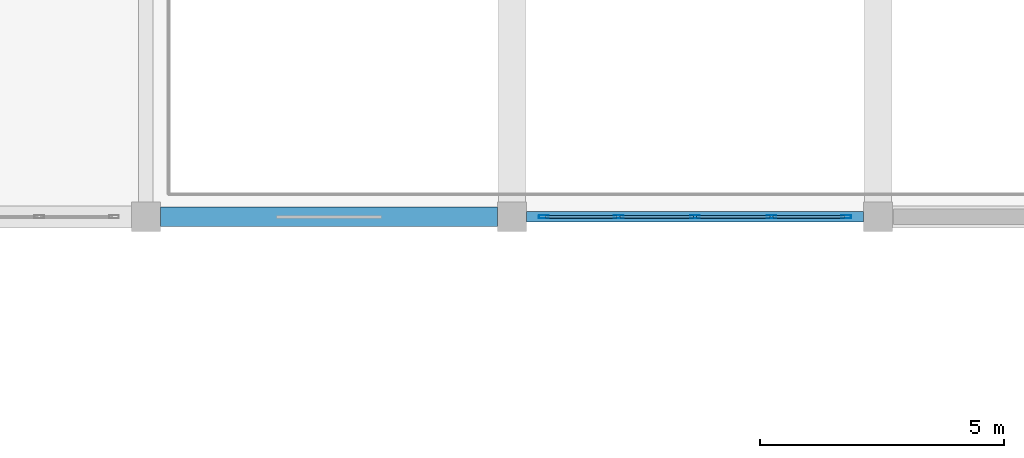
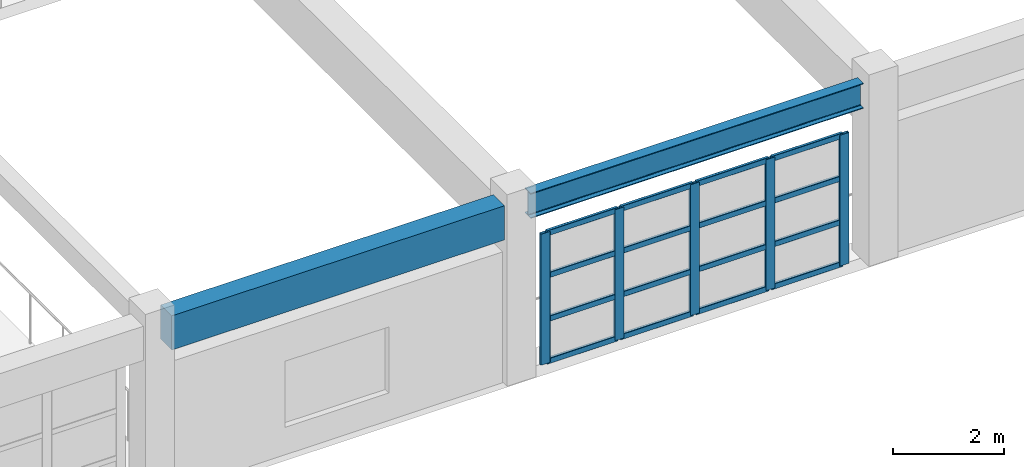
# One storey, part 68 of 124: 21 members, 2 beams, 1 element without a shape of its own.
"""IFC4 building model written with IfcOpenShell, lengths in metres."""

from ifc_helpers import new_model, si_unit, direction, frame, origin, origin_2d, place, context, subcontext, project, spatial, rectangle, hollow_rectangle, i_section, extrude, material, material_profile, profile_set, type_object, element, aggregate, save


model = new_model("IFC4")

# Units and contexts
model_context = context("Model", 3, precision=1e-05, world=origin(), true_north=direction((0.0, 1.0)))
body_context = subcontext(model_context, "Body", "Model", "MODEL_VIEW")
ifc_project = project(units=[si_unit("LENGTHUNIT", "METRE"), si_unit("AREAUNIT", "SQUARE_METRE"), si_unit("VOLUMEUNIT", "CUBIC_METRE"), si_unit("PLANEANGLEUNIT", "RADIAN"), si_unit("MASSUNIT", "GRAM", prefix="KILO")], contexts=[model_context])

# Site, building, storey
site_placement = place(None, origin())
site = spatial("IfcSite", under=ifc_project, at=site_placement, CompositionType="ELEMENT")
building_placement = place(site_placement, origin())
building = spatial("IfcBuilding", under=site, at=building_placement, Name="Qasida Concert Hall", CompositionType="ELEMENT")
storey_placement = place(building_placement, frame((0.0, 0.0, 9.0)))
storey = spatial("IfcBuildingStorey", under=building, at=storey_placement, Name="L02", CompositionType="ELEMENT", Elevation=9.0)

# Beams
ifc_material_1 = material(Name="Concrete C40/50", Category="concrete")
ifc_material_profile_1 = material_profile(ifc_material_1, rectangle(XDim=0.39990234375, YDim=0.75, at=origin_2d()), Name="RC 400x750")
ifc_profile_set_1 = profile_set([ifc_material_profile_1], Name="Concrete C40/50")
beam_type_1 = type_object("IfcBeamType", Name="BM-SP1", PredefinedType="SPANDREL", material=ifc_profile_set_1)
beam_1_placement = place(storey_placement, frame((127.800048828125, 75.0, 3.52490234375), z_axis=(1.0, 0.0, 0.0), x_axis=(0.0, 1.0, 0.0)))
element("IfcBeam", 1, at=beam_1_placement, inside=storey, type_object=beam_type_1, Name="Primary girder 1351", PredefinedType="SPANDREL", context=body_context, shape_type="SweptSolid", body=[
    extrude(rectangle(XDim=0.39990234375, YDim=0.75, at=origin_2d()), origin(), (0.0, 0.0, 1.0), 6.89990234375),
])
ifc_material_2 = material(Name="Steel S355J2", Category="steel")
ifc_material_profile_2 = material_profile(ifc_material_2, i_section(OverallWidth=0.2099609375, OverallDepth=0.550048828125, WebThickness=0.010986328125, FlangeThickness=0.01708984375, FilletRadius=0.02392578125, at=origin_2d()), Name="IPE 550")
ifc_profile_set_2 = profile_set([ifc_material_profile_2], Name="Steel S355J2")
beam_type_2 = type_object("IfcBeamType", Name="BM-SP2", PredefinedType="SPANDREL", material=ifc_profile_set_2)
beam_2_placement = place(storey_placement, frame((135.300048828125, 75.0, 3.625), z_axis=(1.0, 0.0, 0.0), x_axis=(0.0, 1.0, 0.0)))
element("IfcBeam", 2, at=beam_2_placement, inside=storey, type_object=beam_type_2, Name="Primary girder 1352", PredefinedType="SPANDREL", context=body_context, shape_type="SweptSolid", body=[
    extrude(i_section(OverallWidth=0.2099609375, OverallDepth=0.550048828125, WebThickness=0.010986328125, FlangeThickness=0.01708984375, FilletRadius=0.02392578125, at=origin_2d()), origin(), (0.0, 0.0, 1.0), 6.89990234375),
])

# Curtain wall, members
ifc_material_3 = material(Name="Architectural bronze-anodized aluminium and low-E glass", Category="aluminium")
curtain_wall_type = type_object("IfcCurtainWallType", Name="CW-03", PredefinedType="NOTDEFINED", material=ifc_material_3)
curtain_wall_placement = place(storey_placement, origin())
curtain_wall = element("IfcCurtainWall", 3, at=curtain_wall_placement, inside=storey, type_object=curtain_wall_type, Name="L02 curtain wall CW-03 0171", PredefinedType="NOTDEFINED")
ifc_material_4 = material(Name="Architectural bronze-anodized aluminium EN AW-6063", Category="aluminium")
ifc_material_profile_3 = material_profile(ifc_material_4, hollow_rectangle(XDim=0.06494140625, YDim=0.199951171875, WallThickness=0.0048828125, InnerFilletRadius=0.0048828125, OuterFilletRadius=0.010009765625, at=origin_2d()), Name="CWM 200x65x5")
ifc_profile_set_3 = profile_set([ifc_material_profile_3], Name="Architectural bronze-anodized aluminium EN AW-6063")
member_type_1 = type_object("IfcMemberType", Name="MB-CWM-2", PredefinedType="MULLION", material=ifc_profile_set_3)
member_1_placement = place(storey_placement, frame((135.652587890625, 75.0, 0.0), z_axis=(0.0, 0.0, 1.0), x_axis=(0.0, 1.0, 0.0)))
member_1 = element("IfcMember", 4, at=member_1_placement, type_object=member_type_1, Name="CW-03 mullion 1", PredefinedType="MULLION", context=body_context, shape_type="SweptSolid", body=[
    extrude(hollow_rectangle(XDim=0.06494140625, YDim=0.199951171875, WallThickness=0.0048828125, InnerFilletRadius=0.0048828125, OuterFilletRadius=0.010009765625, at=origin_2d()), origin(), (0.0, 0.0, 1.0), 2.8701171875),
])
member_2_placement = place(storey_placement, frame((137.18505859375, 75.0, 0.0), z_axis=(0.0, 0.0, 1.0), x_axis=(0.0, 1.0, 0.0)))
member_2 = element("IfcMember", 5, at=member_2_placement, type_object=member_type_1, Name="CW-03 mullion 2", PredefinedType="MULLION", context=body_context, shape_type="SweptSolid", body=[
    extrude(hollow_rectangle(XDim=0.06494140625, YDim=0.199951171875, WallThickness=0.0048828125, InnerFilletRadius=0.0048828125, OuterFilletRadius=0.010009765625, at=origin_2d()), origin(), (0.0, 0.0, 1.0), 2.8701171875),
])
member_3_placement = place(storey_placement, frame((138.75, 75.0, 0.0), z_axis=(0.0, 0.0, 1.0), x_axis=(0.0, 1.0, 0.0)))
member_3 = element("IfcMember", 6, at=member_3_placement, type_object=member_type_1, Name="CW-03 mullion 3", PredefinedType="MULLION", context=body_context, shape_type="SweptSolid", body=[
    extrude(hollow_rectangle(XDim=0.06494140625, YDim=0.199951171875, WallThickness=0.0048828125, InnerFilletRadius=0.0048828125, OuterFilletRadius=0.010009765625, at=origin_2d()), origin(), (0.0, 0.0, 1.0), 2.8701171875),
])
member_4_placement = place(storey_placement, frame((140.31494140625, 75.0, 0.0), z_axis=(0.0, 0.0, 1.0), x_axis=(0.0, 1.0, 0.0)))
member_4 = element("IfcMember", 7, at=member_4_placement, type_object=member_type_1, Name="CW-03 mullion 4", PredefinedType="MULLION", context=body_context, shape_type="SweptSolid", body=[
    extrude(hollow_rectangle(XDim=0.06494140625, YDim=0.199951171875, WallThickness=0.0048828125, InnerFilletRadius=0.0048828125, OuterFilletRadius=0.010009765625, at=origin_2d()), origin(), (0.0, 0.0, 1.0), 2.8701171875),
])
member_5_placement = place(storey_placement, frame((141.847412109375, 75.0, 0.0), z_axis=(0.0, 0.0, 1.0), x_axis=(0.0, 1.0, 0.0)))
member_5 = element("IfcMember", 8, at=member_5_placement, type_object=member_type_1, Name="CW-03 mullion 5", PredefinedType="MULLION", context=body_context, shape_type="SweptSolid", body=[
    extrude(hollow_rectangle(XDim=0.06494140625, YDim=0.199951171875, WallThickness=0.0048828125, InnerFilletRadius=0.0048828125, OuterFilletRadius=0.010009765625, at=origin_2d()), origin(), (0.0, 0.0, 1.0), 2.8701171875),
])
ifc_material_profile_4 = material_profile(ifc_material_4, hollow_rectangle(XDim=0.06005859375, YDim=0.1201171875, WallThickness=0.00390625, InnerFilletRadius=0.00390625, OuterFilletRadius=0.008056640625, at=origin_2d()), Name="CWT 120x60x4")
ifc_profile_set_4 = profile_set([ifc_material_profile_4], Name="Architectural bronze-anodized aluminium EN AW-6063")
member_type_2 = type_object("IfcMemberType", Name="MB-CWT-2", PredefinedType="USERDEFINED", material=ifc_profile_set_4)
member_6_placement = place(storey_placement, frame((135.68505859375, 75.0, 0.030029296875), z_axis=(1.0, 0.0, 0.0), x_axis=(0.0, 1.0, 0.0)))
member_6 = element("IfcMember", 9, at=member_6_placement, type_object=member_type_2, Name="CW-03 transom 1.1", ObjectType="TRANSOM", PredefinedType="USERDEFINED", context=body_context, shape_type="SweptSolid", body=[
    extrude(hollow_rectangle(XDim=0.06005859375, YDim=0.1201171875, WallThickness=0.00390625, InnerFilletRadius=0.00390625, OuterFilletRadius=0.008056640625, at=origin_2d()), origin(), (0.0, 0.0, 1.0), 1.467529296875),
])
member_7_placement = place(storey_placement, frame((135.68505859375, 75.0, 0.956787109375), z_axis=(1.0, 0.0, 0.0), x_axis=(0.0, 1.0, 0.0)))
member_7 = element("IfcMember", 10, at=member_7_placement, type_object=member_type_2, Name="CW-03 transom 1.2", ObjectType="TRANSOM", PredefinedType="USERDEFINED", context=body_context, shape_type="SweptSolid", body=[
    extrude(hollow_rectangle(XDim=0.06005859375, YDim=0.1201171875, WallThickness=0.00390625, InnerFilletRadius=0.00390625, OuterFilletRadius=0.008056640625, at=origin_2d()), origin(), (0.0, 0.0, 1.0), 1.467529296875),
])
member_8_placement = place(storey_placement, frame((135.68505859375, 75.0, 1.913330078125), z_axis=(1.0, 0.0, 0.0), x_axis=(0.0, 1.0, 0.0)))
member_8 = element("IfcMember", 11, at=member_8_placement, type_object=member_type_2, Name="CW-03 transom 1.3", ObjectType="TRANSOM", PredefinedType="USERDEFINED", context=body_context, shape_type="SweptSolid", body=[
    extrude(hollow_rectangle(XDim=0.06005859375, YDim=0.1201171875, WallThickness=0.00390625, InnerFilletRadius=0.00390625, OuterFilletRadius=0.008056640625, at=origin_2d()), origin(), (0.0, 0.0, 1.0), 1.467529296875),
])
member_9_placement = place(storey_placement, frame((135.68505859375, 75.0, 2.840087890625), z_axis=(1.0, 0.0, 0.0), x_axis=(0.0, 1.0, 0.0)))
member_9 = element("IfcMember", 12, at=member_9_placement, type_object=member_type_2, Name="CW-03 transom 1.4", ObjectType="TRANSOM", PredefinedType="USERDEFINED", context=body_context, shape_type="SweptSolid", body=[
    extrude(hollow_rectangle(XDim=0.06005859375, YDim=0.1201171875, WallThickness=0.00390625, InnerFilletRadius=0.00390625, OuterFilletRadius=0.008056640625, at=origin_2d()), origin(), (0.0, 0.0, 1.0), 1.467529296875),
])
member_10_placement = place(storey_placement, frame((137.217529296875, 75.0, 0.030029296875), z_axis=(1.0, 0.0, 0.0), x_axis=(0.0, 1.0, 0.0)))
member_10 = element("IfcMember", 13, at=member_10_placement, type_object=member_type_2, Name="CW-03 transom 2.1", ObjectType="TRANSOM", PredefinedType="USERDEFINED", context=body_context, shape_type="SweptSolid", body=[
    extrude(hollow_rectangle(XDim=0.06005859375, YDim=0.1201171875, WallThickness=0.00390625, InnerFilletRadius=0.00390625, OuterFilletRadius=0.008056640625, at=origin_2d()), origin(), (0.0, 0.0, 1.0), 1.5),
])
member_11_placement = place(storey_placement, frame((137.217529296875, 75.0, 0.956787109375), z_axis=(1.0, 0.0, 0.0), x_axis=(0.0, 1.0, 0.0)))
member_11 = element("IfcMember", 14, at=member_11_placement, type_object=member_type_2, Name="CW-03 transom 2.2", ObjectType="TRANSOM", PredefinedType="USERDEFINED", context=body_context, shape_type="SweptSolid", body=[
    extrude(hollow_rectangle(XDim=0.06005859375, YDim=0.1201171875, WallThickness=0.00390625, InnerFilletRadius=0.00390625, OuterFilletRadius=0.008056640625, at=origin_2d()), origin(), (0.0, 0.0, 1.0), 1.5),
])
member_12_placement = place(storey_placement, frame((137.217529296875, 75.0, 1.913330078125), z_axis=(1.0, 0.0, 0.0), x_axis=(0.0, 1.0, 0.0)))
member_12 = element("IfcMember", 15, at=member_12_placement, type_object=member_type_2, Name="CW-03 transom 2.3", ObjectType="TRANSOM", PredefinedType="USERDEFINED", context=body_context, shape_type="SweptSolid", body=[
    extrude(hollow_rectangle(XDim=0.06005859375, YDim=0.1201171875, WallThickness=0.00390625, InnerFilletRadius=0.00390625, OuterFilletRadius=0.008056640625, at=origin_2d()), origin(), (0.0, 0.0, 1.0), 1.5),
])
member_13_placement = place(storey_placement, frame((137.217529296875, 75.0, 2.840087890625), z_axis=(1.0, 0.0, 0.0), x_axis=(0.0, 1.0, 0.0)))
member_13 = element("IfcMember", 16, at=member_13_placement, type_object=member_type_2, Name="CW-03 transom 2.4", ObjectType="TRANSOM", PredefinedType="USERDEFINED", context=body_context, shape_type="SweptSolid", body=[
    extrude(hollow_rectangle(XDim=0.06005859375, YDim=0.1201171875, WallThickness=0.00390625, InnerFilletRadius=0.00390625, OuterFilletRadius=0.008056640625, at=origin_2d()), origin(), (0.0, 0.0, 1.0), 1.5),
])
member_14_placement = place(storey_placement, frame((138.782470703125, 75.0, 0.030029296875), z_axis=(1.0, 0.0, 0.0), x_axis=(0.0, 1.0, 0.0)))
member_14 = element("IfcMember", 17, at=member_14_placement, type_object=member_type_2, Name="CW-03 transom 3.1", ObjectType="TRANSOM", PredefinedType="USERDEFINED", context=body_context, shape_type="SweptSolid", body=[
    extrude(hollow_rectangle(XDim=0.06005859375, YDim=0.1201171875, WallThickness=0.00390625, InnerFilletRadius=0.00390625, OuterFilletRadius=0.008056640625, at=origin_2d()), origin(), (0.0, 0.0, 1.0), 1.5),
])
member_15_placement = place(storey_placement, frame((138.782470703125, 75.0, 0.956787109375), z_axis=(1.0, 0.0, 0.0), x_axis=(0.0, 1.0, 0.0)))
member_15 = element("IfcMember", 18, at=member_15_placement, type_object=member_type_2, Name="CW-03 transom 3.2", ObjectType="TRANSOM", PredefinedType="USERDEFINED", context=body_context, shape_type="SweptSolid", body=[
    extrude(hollow_rectangle(XDim=0.06005859375, YDim=0.1201171875, WallThickness=0.00390625, InnerFilletRadius=0.00390625, OuterFilletRadius=0.008056640625, at=origin_2d()), origin(), (0.0, 0.0, 1.0), 1.5),
])
member_16_placement = place(storey_placement, frame((138.782470703125, 75.0, 1.913330078125), z_axis=(1.0, 0.0, 0.0), x_axis=(0.0, 1.0, 0.0)))
member_16 = element("IfcMember", 19, at=member_16_placement, type_object=member_type_2, Name="CW-03 transom 3.3", ObjectType="TRANSOM", PredefinedType="USERDEFINED", context=body_context, shape_type="SweptSolid", body=[
    extrude(hollow_rectangle(XDim=0.06005859375, YDim=0.1201171875, WallThickness=0.00390625, InnerFilletRadius=0.00390625, OuterFilletRadius=0.008056640625, at=origin_2d()), origin(), (0.0, 0.0, 1.0), 1.5),
])
member_17_placement = place(storey_placement, frame((138.782470703125, 75.0, 2.840087890625), z_axis=(1.0, 0.0, 0.0), x_axis=(0.0, 1.0, 0.0)))
member_17 = element("IfcMember", 20, at=member_17_placement, type_object=member_type_2, Name="CW-03 transom 3.4", ObjectType="TRANSOM", PredefinedType="USERDEFINED", context=body_context, shape_type="SweptSolid", body=[
    extrude(hollow_rectangle(XDim=0.06005859375, YDim=0.1201171875, WallThickness=0.00390625, InnerFilletRadius=0.00390625, OuterFilletRadius=0.008056640625, at=origin_2d()), origin(), (0.0, 0.0, 1.0), 1.5),
])
member_18_placement = place(storey_placement, frame((140.347412109375, 75.0, 0.030029296875), z_axis=(1.0, 0.0, 0.0), x_axis=(0.0, 1.0, 0.0)))
member_18 = element("IfcMember", 21, at=member_18_placement, type_object=member_type_2, Name="CW-03 transom 4.1", ObjectType="TRANSOM", PredefinedType="USERDEFINED", context=body_context, shape_type="SweptSolid", body=[
    extrude(hollow_rectangle(XDim=0.06005859375, YDim=0.1201171875, WallThickness=0.00390625, InnerFilletRadius=0.00390625, OuterFilletRadius=0.008056640625, at=origin_2d()), origin(), (0.0, 0.0, 1.0), 1.467529296875),
])
member_19_placement = place(storey_placement, frame((140.347412109375, 75.0, 0.956787109375), z_axis=(1.0, 0.0, 0.0), x_axis=(0.0, 1.0, 0.0)))
member_19 = element("IfcMember", 22, at=member_19_placement, type_object=member_type_2, Name="CW-03 transom 4.2", ObjectType="TRANSOM", PredefinedType="USERDEFINED", context=body_context, shape_type="SweptSolid", body=[
    extrude(hollow_rectangle(XDim=0.06005859375, YDim=0.1201171875, WallThickness=0.00390625, InnerFilletRadius=0.00390625, OuterFilletRadius=0.008056640625, at=origin_2d()), origin(), (0.0, 0.0, 1.0), 1.467529296875),
])
member_20_placement = place(storey_placement, frame((140.347412109375, 75.0, 1.913330078125), z_axis=(1.0, 0.0, 0.0), x_axis=(0.0, 1.0, 0.0)))
member_20 = element("IfcMember", 23, at=member_20_placement, type_object=member_type_2, Name="CW-03 transom 4.3", ObjectType="TRANSOM", PredefinedType="USERDEFINED", context=body_context, shape_type="SweptSolid", body=[
    extrude(hollow_rectangle(XDim=0.06005859375, YDim=0.1201171875, WallThickness=0.00390625, InnerFilletRadius=0.00390625, OuterFilletRadius=0.008056640625, at=origin_2d()), origin(), (0.0, 0.0, 1.0), 1.467529296875),
])
member_21_placement = place(storey_placement, frame((140.347412109375, 75.0, 2.840087890625), z_axis=(1.0, 0.0, 0.0), x_axis=(0.0, 1.0, 0.0)))
member_21 = element("IfcMember", 24, at=member_21_placement, type_object=member_type_2, Name="CW-03 transom 4.4", ObjectType="TRANSOM", PredefinedType="USERDEFINED", context=body_context, shape_type="SweptSolid", body=[
    extrude(hollow_rectangle(XDim=0.06005859375, YDim=0.1201171875, WallThickness=0.00390625, InnerFilletRadius=0.00390625, OuterFilletRadius=0.008056640625, at=origin_2d()), origin(), (0.0, 0.0, 1.0), 1.467529296875),
])
aggregate(curtain_wall, [member_1, member_2, member_3, member_4, member_5, member_6, member_7, member_8, member_9, member_10, member_11, member_12, member_13, member_14, member_15, member_16, member_17, member_18, member_19, member_20, member_21])

save(model, "model.ifc")
